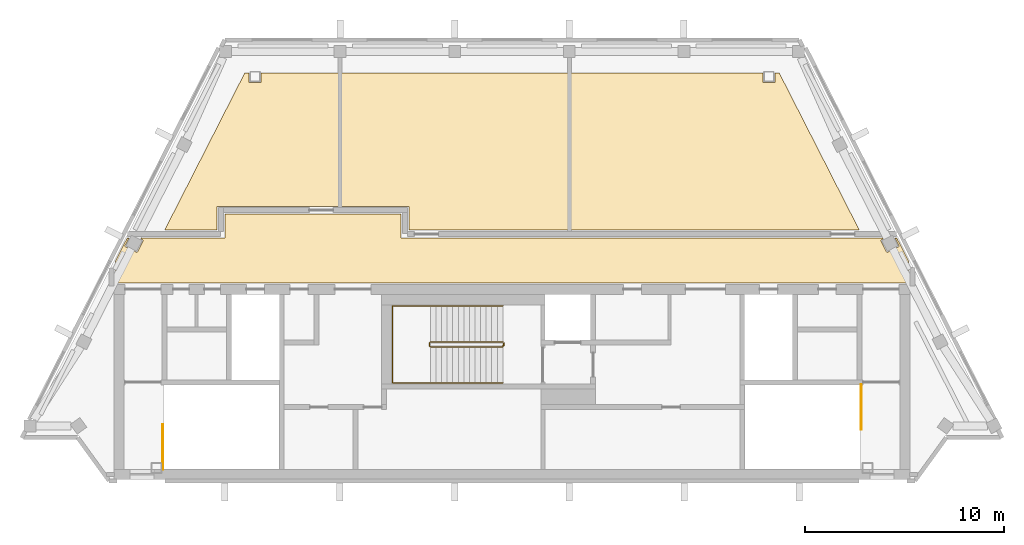
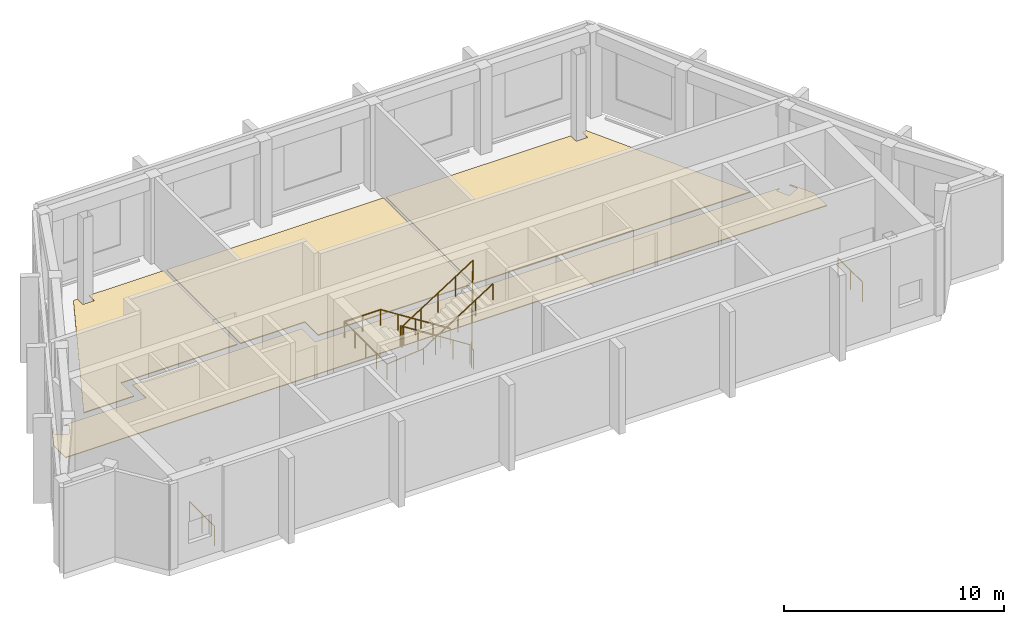
# One storey, part 5 of 5: 4 coverings, 4 railings.
"""IFC4 building model written with IfcOpenShell, lengths in metres."""

from ifc_helpers import new_model, si_unit, direction, frame, origin, origin_2d, place, context, subcontext, project, spatial, polyline, circle, outline, extrude, material, layer, layer_set, type_object, element, save


model = new_model("IFC4")

# Units and contexts
model_context = context("Model", 3, precision=1e-05, world=origin(), true_north=direction((0.0, 1.0)))
body_context = subcontext(model_context, "Body", "Model", "MODEL_VIEW")
ifc_project = project(units=[si_unit("LENGTHUNIT", "METRE"), si_unit("AREAUNIT", "SQUARE_METRE"), si_unit("VOLUMEUNIT", "CUBIC_METRE"), si_unit("PLANEANGLEUNIT", "RADIAN"), si_unit("MASSUNIT", "GRAM", prefix="KILO")], contexts=[model_context])

# Site, building, storey
site_placement = place(None, origin())
site = spatial("IfcSite", under=ifc_project, at=site_placement, CompositionType="ELEMENT")
building_placement = place(site_placement, origin())
building = spatial("IfcBuilding", under=site, at=building_placement, Name="Quipu Civic Tower", CompositionType="ELEMENT")
storey_placement = place(building_placement, frame((0.0, 0.0, 363.0)))
storey = spatial("IfcBuildingStorey", under=building, at=storey_placement, Name="L84", CompositionType="ELEMENT", Elevation=363.0)

# Coverings
ifc_material_1 = material(Name="Sealed cement screed")
ifc_layer_1 = layer(ifc_material_1, 0.050048828125)
ifc_layer_set_1 = layer_set([ifc_layer_1], Name="Sealed cement screed")
covering_type_1 = type_object("IfcCoveringType", Name="Sealed screed floor finish 50", PredefinedType="FLOORING", material=ifc_layer_set_1)
covering_1_placement = place(storey_placement, origin())
element("IfcCovering", 1, at=covering_1_placement, inside=storey, type_object=covering_type_1, Name="Sealed screed floor finish 50", PredefinedType="FLOORING", context=body_context, shape_type="SweptSolid", body=[
    extrude(outline(polyline([(2.948974609375, 1.52001953125), (2.948974609375, 9.429931640625), (12.612060546875, 9.429931640625), (12.612060546875, 8.989013671875), (12.612060546875, 8.98388671875), (12.613037109375, 8.97900390625), (12.614013671875, 8.97412109375), (12.615966796875, 8.969970703125), (12.617919921875, 8.965087890625), (12.6201171875, 8.9609375), (12.623046875, 8.95703125), (12.626953125, 8.952880859375), (12.6298828125, 8.949951171875), (12.634033203125, 8.947021484375), (12.637939453125, 8.945068359375), (12.64306640625, 8.943115234375), (12.64697265625, 8.94091796875), (12.652099609375, 8.93994140625), (12.656982421875, 8.93896484375), (12.662109375, 8.93896484375), (13.169921875, 8.93896484375), (13.175048828125, 8.93896484375), (13.179931640625, 8.93994140625), (13.18408203125, 8.94091796875), (13.18896484375, 8.943115234375), (13.194091796875, 8.945068359375), (13.197998046875, 8.947021484375), (13.201904296875, 8.949951171875), (13.205078125, 8.952880859375), (13.208984375, 8.95703125), (13.2119140625, 8.9609375), (13.214111328125, 8.965087890625), (13.216064453125, 8.969970703125), (13.218017578125, 8.97412109375), (13.218994140625, 8.97900390625), (13.219970703125, 8.98388671875), (13.219970703125, 8.989013671875), (13.219970703125, 9.429931640625), (13.43310546875, 9.429931640625), (17.464111328125, 1.52001953125), (2.948974609375, 1.52001953125)])), origin(), (0.0, 0.0, 1.0), 0.050048828125),
])
covering_2_placement = place(storey_placement, origin())
element("IfcCovering", 2, at=covering_2_placement, inside=storey, type_object=covering_type_1, Name="Sealed screed floor finish 50", PredefinedType="FLOORING", context=body_context, shape_type="SweptSolid", body=[
    extrude(outline(polyline([(-17.464111328125, 1.52001953125), (-13.43310546875, 9.429931640625), (-13.219970703125, 9.429931640625), (-13.219970703125, 8.989013671875), (-13.219970703125, 8.98388671875), (-13.218994140625, 8.97900390625), (-13.218017578125, 8.97412109375), (-13.216064453125, 8.969970703125), (-13.214111328125, 8.965087890625), (-13.2119140625, 8.9609375), (-13.208984375, 8.95703125), (-13.205078125, 8.952880859375), (-13.201904296875, 8.949951171875), (-13.197998046875, 8.947021484375), (-13.194091796875, 8.945068359375), (-13.18896484375, 8.943115234375), (-13.18408203125, 8.94091796875), (-13.179931640625, 8.93994140625), (-13.175048828125, 8.93896484375), (-13.169921875, 8.93896484375), (-12.662109375, 8.93896484375), (-12.656982421875, 8.93896484375), (-12.652099609375, 8.93994140625), (-12.64697265625, 8.94091796875), (-12.64306640625, 8.943115234375), (-12.637939453125, 8.945068359375), (-12.634033203125, 8.947021484375), (-12.6298828125, 8.949951171875), (-12.626953125, 8.952880859375), (-12.623046875, 8.95703125), (-12.6201171875, 8.9609375), (-12.617919921875, 8.965087890625), (-12.615966796875, 8.969970703125), (-12.614013671875, 8.97412109375), (-12.613037109375, 8.97900390625), (-12.612060546875, 8.98388671875), (-12.612060546875, 8.989013671875), (-12.612060546875, 9.429931640625), (-8.70703125, 9.429931640625), (-8.70703125, 2.719970703125), (-14.818115234375, 2.719970703125), (-14.820068359375, 1.52001953125), (-17.464111328125, 1.52001953125)])), origin(), (0.0, 0.0, 1.0), 0.050048828125),
])
covering_3_placement = place(storey_placement, origin())
element("IfcCovering", 3, at=covering_3_placement, inside=storey, type_object=covering_type_1, Name="Sealed screed floor finish 50", PredefinedType="FLOORING", context=body_context, shape_type="SweptSolid", body=[
    extrude(outline(polyline([(-8.56689453125, 9.429931640625), (2.80908203125, 9.429931640625), (2.80908203125, 1.52001953125), (-5.179931640625, 1.52001953125), (-5.180908203125, 2.719970703125), (-8.56689453125, 2.719970703125), (-8.56689453125, 9.429931640625)])), origin(), (0.0, 0.0, 1.0), 0.050048828125),
])

# Railings
ifc_material_2 = material(Name="Stainless steel", Category="steel")
railing_type_1 = type_object("IfcRailingType", Name="Stair guard 1100", PredefinedType="GUARDRAIL", material=ifc_material_2)
railing_1_placement = place(storey_placement, frame((-17.550048828125, -10.5, 0.0)))
element("IfcRailing", 4, at=railing_1_placement, inside=storey, type_object=railing_type_1, Name="Stair 1 top guard", PredefinedType="GUARDRAIL", context=body_context, shape_type="SweptSolid", body=[
    extrude(circle(Radius=0.02392578125, at=origin_2d()), frame((0.0, 0.0, 1.076171875), z_axis=(0.0, 1.0, 0.0), x_axis=(-1.0, 0.0, 0.0)), (0.0, 0.0, 1.0), 2.25),
    extrude(circle(Radius=0.02099609375, at=origin_2d()), origin(), (0.0, 0.0, 1.0), 1.052001953125),
    extrude(circle(Radius=0.02099609375, at=origin_2d()), frame((0.0, 1.125, 0.0)), (0.0, 0.0, 1.0), 1.052001953125),
    extrude(circle(Radius=0.02099609375, at=origin_2d()), frame((0.0, 2.25, 0.0)), (0.0, 0.0, 1.0), 1.052001953125),
])
railing_2_placement = place(storey_placement, frame((17.550048828125, -6.25, 0.0)))
element("IfcRailing", 5, at=railing_2_placement, inside=storey, type_object=railing_type_1, Name="Stair 2 top guard", PredefinedType="GUARDRAIL", context=body_context, shape_type="SweptSolid", body=[
    extrude(circle(Radius=0.02392578125, at=origin_2d()), frame((0.0, 0.0, 1.076171875), z_axis=(0.0, -1.0, 0.0), x_axis=(1.0, 0.0, 0.0)), (0.0, 0.0, 1.0), 2.25),
    extrude(circle(Radius=0.02099609375, at=origin_2d()), origin(), (0.0, 0.0, 1.0), 1.052001953125),
    extrude(circle(Radius=0.02099609375, at=origin_2d()), frame((0.0, -1.125, 0.0)), (0.0, 0.0, 1.0), 1.052001953125),
    extrude(circle(Radius=0.02099609375, at=origin_2d()), frame((0.0, -2.25, 0.0)), (0.0, 0.0, 1.0), 1.052001953125),
])
railing_3_placement = place(storey_placement, frame((-0.4599609375, -4.090087890625, 0.178466796875)))
element("IfcRailing", 6, at=railing_3_placement, inside=storey, type_object=railing_type_1, Name="Stair 5 guard", PredefinedType="GUARDRAIL", context=body_context, shape_type="SweptSolid", body=[
    extrude(circle(Radius=0.02392578125, at=origin_2d()), frame((0.0, 0.0, 1.076171875), z_axis=(-0.843127859045, 0.0, 0.537713132908), x_axis=(0.0, -1.0, 0.0)), (0.0, 0.0, 1.0), 4.3173828125),
    extrude(circle(Radius=0.02392578125, at=origin_2d()), frame((-3.64013671875, 0.0, 3.3974609375), z_axis=(-0.707106781187, -0.707106781187, 0.0), x_axis=(0.707106781187, -0.707106781187, 0.0)), (0.0, 0.0, 1.0), 0.0703125),
    extrude(circle(Radius=0.02392578125, at=origin_2d()), frame((-3.68994140625, -0.0498046875, 3.3974609375), z_axis=(0.0, -1.0, 0.0), x_axis=(1.0, 0.0, 0.0)), (0.0, 0.0, 1.0), 0.150146484375),
    extrude(circle(Radius=0.02392578125, at=origin_2d()), frame((-3.68994140625, -0.199951171875, 3.3974609375), z_axis=(0.25949872427, -0.26077077684, 0.929870428634), x_axis=(0.708833529934, 0.705375805398, 0.0)), (0.0, 0.0, 1.0), 0.19189453125),
    extrude(circle(Radius=0.02392578125, at=origin_2d()), frame((-3.64013671875, -0.25, 3.576171875), z_axis=(0.843127859045, 0.0, 0.537713132908), x_axis=(0.0, 1.0, 0.0)), (0.0, 0.0, 1.0), 4.3173828125),
    extrude(circle(Radius=0.02392578125, at=origin_2d()), frame((0.0, -0.25, 5.8974609375), z_axis=(0.010001251573, 0.040005006294, -0.999149425481), x_axis=(-0.970142500145, 0.242535625036, 0.0)), (0.0, 0.0, 1.0), 5.004150390625),
    extrude(circle(Radius=0.02392578125, at=origin_2d()), frame((0.050048828125, -0.0498046875, 0.8974609375), z_axis=(0.0, -1.0, 0.0), x_axis=(1.0, 0.0, 0.0)), (0.0, 0.0, 1.0), 0.150146484375),
    extrude(circle(Radius=0.02099609375, at=origin_2d()), origin(), (0.0, 0.0, 1.0), 1.052001953125),
    extrude(circle(Radius=0.02099609375, at=origin_2d()), frame((-0.91015625, 0.0, 0.580322265625)), (0.0, 0.0, 1.0), 1.052001953125),
    extrude(circle(Radius=0.02099609375, at=origin_2d()), frame((-1.820068359375, 0.0, 1.16064453125)), (0.0, 0.0, 1.0), 1.052001953125),
    extrude(circle(Radius=0.02099609375, at=origin_2d()), frame((-2.72998046875, 0.0, 1.7412109375)), (0.0, 0.0, 1.0), 1.052001953125),
    extrude(circle(Radius=0.02099609375, at=origin_2d()), frame((-3.64013671875, 0.0, 2.321533203125)), (0.0, 0.0, 1.0), 1.052001953125),
    extrude(circle(Radius=0.02099609375, at=origin_2d()), frame((-3.68994140625, -0.0498046875, 2.321533203125)), (0.0, 0.0, 1.0), 1.052001953125),
    extrude(circle(Radius=0.02099609375, at=origin_2d()), frame((-3.68994140625, -0.199951171875, 2.321533203125)), (0.0, 0.0, 1.0), 1.052001953125),
    extrude(circle(Radius=0.02099609375, at=origin_2d()), frame((-3.64013671875, -0.25, 2.5)), (0.0, 0.0, 1.0), 1.052001953125),
    extrude(circle(Radius=0.02099609375, at=origin_2d()), frame((-2.72998046875, -0.25, 3.080322265625)), (0.0, 0.0, 1.0), 1.052001953125),
    extrude(circle(Radius=0.02099609375, at=origin_2d()), frame((-1.820068359375, -0.25, 3.66064453125)), (0.0, 0.0, 1.0), 1.052001953125),
    extrude(circle(Radius=0.02099609375, at=origin_2d()), frame((-0.91015625, -0.25, 4.2412109375)), (0.0, 0.0, 1.0), 1.052001953125),
    extrude(circle(Radius=0.02099609375, at=origin_2d()), frame((0.0, -0.25, 4.821533203125)), (0.0, 0.0, 1.0), 1.052001953125),
    extrude(circle(Radius=0.02099609375, at=origin_2d()), frame((0.010009765625, -0.2099609375, 3.821533203125)), (0.0, 0.0, 1.0), 1.052001953125),
    extrude(circle(Radius=0.02099609375, at=origin_2d()), frame((0.02001953125, -0.169921875, 2.821533203125)), (0.0, 0.0, 1.0), 1.052001953125),
    extrude(circle(Radius=0.02099609375, at=origin_2d()), frame((0.030029296875, -0.1298828125, 1.821533203125)), (0.0, 0.0, 1.0), 1.052001953125),
    extrude(circle(Radius=0.02099609375, at=origin_2d()), frame((0.0400390625, -0.08984375, 0.821533203125)), (0.0, 0.0, 1.0), 1.052001953125),
    extrude(circle(Radius=0.02099609375, at=origin_2d()), frame((0.050048828125, -0.0498046875, -0.178466796875)), (0.0, 0.0, 1.0), 1.052001953125),
    extrude(circle(Radius=0.02099609375, at=origin_2d()), frame((0.050048828125, -0.199951171875, -0.178466796875)), (0.0, 0.0, 1.0), 1.052001953125),
])
ifc_material_3 = material(Name="Stainless steel", Category="steel")
railing_type_2 = type_object("IfcRailingType", Name="Stair handrail", PredefinedType="HANDRAIL", material=ifc_material_3)
railing_4_placement = place(storey_placement, frame((-0.4599609375, -2.280029296875, 0.178466796875)))
element("IfcRailing", 7, at=railing_4_placement, inside=storey, type_object=railing_type_2, Name="Stair 5 handrail", PredefinedType="HANDRAIL", context=body_context, shape_type="SweptSolid", body=[
    extrude(circle(Radius=0.02392578125, at=origin_2d()), frame((0.0, 0.0, 0.8759765625), z_axis=(-0.843127859045, 0.0, 0.537713132908), x_axis=(0.0, -1.0, 0.0)), (0.0, 0.0, 1.0), 4.3173828125),
    extrude(circle(Radius=0.02392578125, at=origin_2d()), frame((-3.64013671875, 0.0, 3.197265625), z_axis=(-1.0, 0.0, 0.0), x_axis=(0.0, -1.0, 0.0)), (0.0, 0.0, 1.0), 1.89990234375),
    extrude(circle(Radius=0.02392578125, at=origin_2d()), frame((-5.5400390625, 0.0, 3.197265625), z_axis=(0.0, -1.0, 0.0), x_axis=(1.0, 0.0, 0.0)), (0.0, 0.0, 1.0), 3.869873046875),
    extrude(circle(Radius=0.02392578125, at=origin_2d()), frame((-5.5400390625, -3.869873046875, 3.197265625), z_axis=(0.995617117879, 0.0, 0.093523016342), x_axis=(0.0, 1.0, 0.0)), (0.0, 0.0, 1.0), 1.908203125),
    extrude(circle(Radius=0.02392578125, at=origin_2d()), frame((-3.64013671875, -3.869873046875, 3.3759765625), z_axis=(0.843127859045, 0.0, 0.537713132908), x_axis=(0.0, 1.0, 0.0)), (0.0, 0.0, 1.0), 4.3173828125),
    extrude(circle(Radius=0.02099609375, at=origin_2d()), origin(), (0.0, 0.0, 1.0), 0.851806640625),
    extrude(circle(Radius=0.02099609375, at=origin_2d()), frame((-0.91015625, 0.0, 0.580322265625)), (0.0, 0.0, 1.0), 0.851806640625),
    extrude(circle(Radius=0.02099609375, at=origin_2d()), frame((-1.820068359375, 0.0, 1.16064453125)), (0.0, 0.0, 1.0), 0.851806640625),
    extrude(circle(Radius=0.02099609375, at=origin_2d()), frame((-2.72998046875, 0.0, 1.7412109375)), (0.0, 0.0, 1.0), 0.851806640625),
    extrude(circle(Radius=0.02099609375, at=origin_2d()), frame((-3.64013671875, 0.0, 2.321533203125)), (0.0, 0.0, 1.0), 0.851806640625),
    extrude(circle(Radius=0.02099609375, at=origin_2d()), frame((-4.590087890625, 0.0, 2.321533203125)), (0.0, 0.0, 1.0), 0.851806640625),
    extrude(circle(Radius=0.02099609375, at=origin_2d()), frame((-5.5400390625, 0.0, 2.321533203125)), (0.0, 0.0, 1.0), 0.851806640625),
    extrude(circle(Radius=0.02099609375, at=origin_2d()), frame((-5.5400390625, -0.967529296875, 2.321533203125)), (0.0, 0.0, 1.0), 0.851806640625),
    extrude(circle(Radius=0.02099609375, at=origin_2d()), frame((-5.5400390625, -1.93505859375, 2.321533203125)), (0.0, 0.0, 1.0), 0.851806640625),
    extrude(circle(Radius=0.02099609375, at=origin_2d()), frame((-5.5400390625, -2.90234375, 2.321533203125)), (0.0, 0.0, 1.0), 0.851806640625),
    extrude(circle(Radius=0.02099609375, at=origin_2d()), frame((-5.5400390625, -3.869873046875, 2.321533203125)), (0.0, 0.0, 1.0), 0.851806640625),
    extrude(circle(Radius=0.02099609375, at=origin_2d()), frame((-4.590087890625, -3.869873046875, 2.41064453125)), (0.0, 0.0, 1.0), 0.851806640625),
    extrude(circle(Radius=0.02099609375, at=origin_2d()), frame((-3.64013671875, -3.869873046875, 2.5)), (0.0, 0.0, 1.0), 0.851806640625),
    extrude(circle(Radius=0.02099609375, at=origin_2d()), frame((-2.72998046875, -3.869873046875, 3.080322265625)), (0.0, 0.0, 1.0), 0.851806640625),
    extrude(circle(Radius=0.02099609375, at=origin_2d()), frame((-1.820068359375, -3.869873046875, 3.66064453125)), (0.0, 0.0, 1.0), 0.851806640625),
    extrude(circle(Radius=0.02099609375, at=origin_2d()), frame((-0.91015625, -3.869873046875, 4.2412109375)), (0.0, 0.0, 1.0), 0.851806640625),
    extrude(circle(Radius=0.02099609375, at=origin_2d()), frame((0.0, -3.869873046875, 4.821533203125)), (0.0, 0.0, 1.0), 0.851806640625),
])

# Covering
ifc_material_4 = material(Name="Terrazzo floor finish")
ifc_layer_2 = layer(ifc_material_4, 0.0400390625)
ifc_layer_set_2 = layer_set([ifc_layer_2], Name="Terrazzo floor finish")
covering_type_2 = type_object("IfcCoveringType", Name="Terrazzo floor finish 40", PredefinedType="FLOORING", material=ifc_layer_set_2)
covering_4_placement = place(storey_placement, origin())
element("IfcCovering", 8, at=covering_4_placement, inside=storey, type_object=covering_type_2, Name="Terrazzo floor finish 40", PredefinedType="FLOORING", context=body_context, shape_type="SweptSolid", body=[
    extrude(outline(polyline([(-19.929931640625, -0.01708984375), (-19.345947265625, 1.1298828125), (-19.256103515625, 1.1298828125), (-19.446044921875, 0.757080078125), (-19.447998046875, 0.7529296875), (-19.449951171875, 0.748046875), (-19.450927734375, 0.742919921875), (-19.451904296875, 0.738037109375), (-19.451904296875, 0.73291015625), (-19.450927734375, 0.72802734375), (-19.450927734375, 0.72412109375), (-19.448974609375, 0.718994140625), (-19.447998046875, 0.714111328125), (-19.445068359375, 0.7099609375), (-19.443115234375, 0.7060546875), (-19.43994140625, 0.701904296875), (-19.43603515625, 0.697998046875), (-19.43310546875, 0.695068359375), (-19.428955078125, 0.69189453125), (-19.424072265625, 0.68994140625), (-18.889892578125, 0.4169921875), (-18.885009765625, 0.4150390625), (-18.881103515625, 0.4140625), (-18.8759765625, 0.4130859375), (-18.87109375, 0.412109375), (-18.865966796875, 0.412109375), (-18.861083984375, 0.412109375), (-18.85595703125, 0.4130859375), (-18.85205078125, 0.4140625), (-18.846923828125, 0.416015625), (-18.843017578125, 0.41796875), (-18.839111328125, 0.4208984375), (-18.8349609375, 0.424072265625), (-18.8310546875, 0.427001953125), (-18.827880859375, 0.430908203125), (-18.824951171875, 0.43505859375), (-18.822998046875, 0.43896484375), (-18.550048828125, 0.97412109375), (-18.548095703125, 0.97802734375), (-18.547119140625, 0.98291015625), (-18.544921875, 0.988037109375), (-18.544921875, 0.992919921875), (-18.544921875, 0.9970703125), (-18.544921875, 1.001953125), (-18.5458984375, 1.007080078125), (-18.547119140625, 1.011962890625), (-18.549072265625, 1.01708984375), (-18.551025390625, 1.02099609375), (-18.553955078125, 1.02490234375), (-18.556884765625, 1.029052734375), (-18.56005859375, 1.032958984375), (-18.56396484375, 1.035888671875), (-18.568115234375, 1.0390625), (-18.572021484375, 1.041015625), (-18.7470703125, 1.1298828125), (-14.429931640625, 1.1298828125), (-14.429931640625, 2.330078125), (-5.570068359375, 2.330078125), (-5.570068359375, 1.1298828125), (18.7470703125, 1.1298828125), (18.572021484375, 1.041015625), (18.568115234375, 1.0390625), (18.56396484375, 1.035888671875), (18.56005859375, 1.032958984375), (18.556884765625, 1.029052734375), (18.553955078125, 1.02490234375), (18.551025390625, 1.02099609375), (18.549072265625, 1.01708984375), (18.547119140625, 1.011962890625), (18.5458984375, 1.007080078125), (18.544921875, 1.001953125), (18.544921875, 0.9970703125), (18.544921875, 0.992919921875), (18.544921875, 0.988037109375), (18.547119140625, 0.98291015625), (18.548095703125, 0.97802734375), (18.550048828125, 0.97412109375), (18.822998046875, 0.43896484375), (18.824951171875, 0.43505859375), (18.827880859375, 0.430908203125), (18.8310546875, 0.427001953125), (18.8349609375, 0.424072265625), (18.839111328125, 0.4208984375), (18.843017578125, 0.41796875), (18.846923828125, 0.416015625), (18.85205078125, 0.4140625), (18.85595703125, 0.4130859375), (18.861083984375, 0.412109375), (18.865966796875, 0.412109375), (18.87109375, 0.412109375), (18.8759765625, 0.4130859375), (18.881103515625, 0.4140625), (18.885009765625, 0.4150390625), (18.889892578125, 0.4169921875), (19.424072265625, 0.68994140625), (19.428955078125, 0.69189453125), (19.43310546875, 0.695068359375), (19.43603515625, 0.697998046875), (19.43994140625, 0.701904296875), (19.443115234375, 0.7060546875), (19.445068359375, 0.7099609375), (19.447998046875, 0.714111328125), (19.448974609375, 0.718994140625), (19.450927734375, 0.72412109375), (19.450927734375, 0.72802734375), (19.451904296875, 0.73291015625), (19.451904296875, 0.738037109375), (19.450927734375, 0.742919921875), (19.449951171875, 0.748046875), (19.447998046875, 0.7529296875), (19.446044921875, 0.757080078125), (19.256103515625, 1.1298828125), (19.345947265625, 1.1298828125), (19.929931640625, -0.01708984375), (19.929931640625, -1.1298828125), (-19.929931640625, -1.1298828125), (-19.929931640625, -0.01708984375)])), origin(), (0.0, 0.0, 1.0), 0.0400390625),
])

save(model, "model.ifc")
